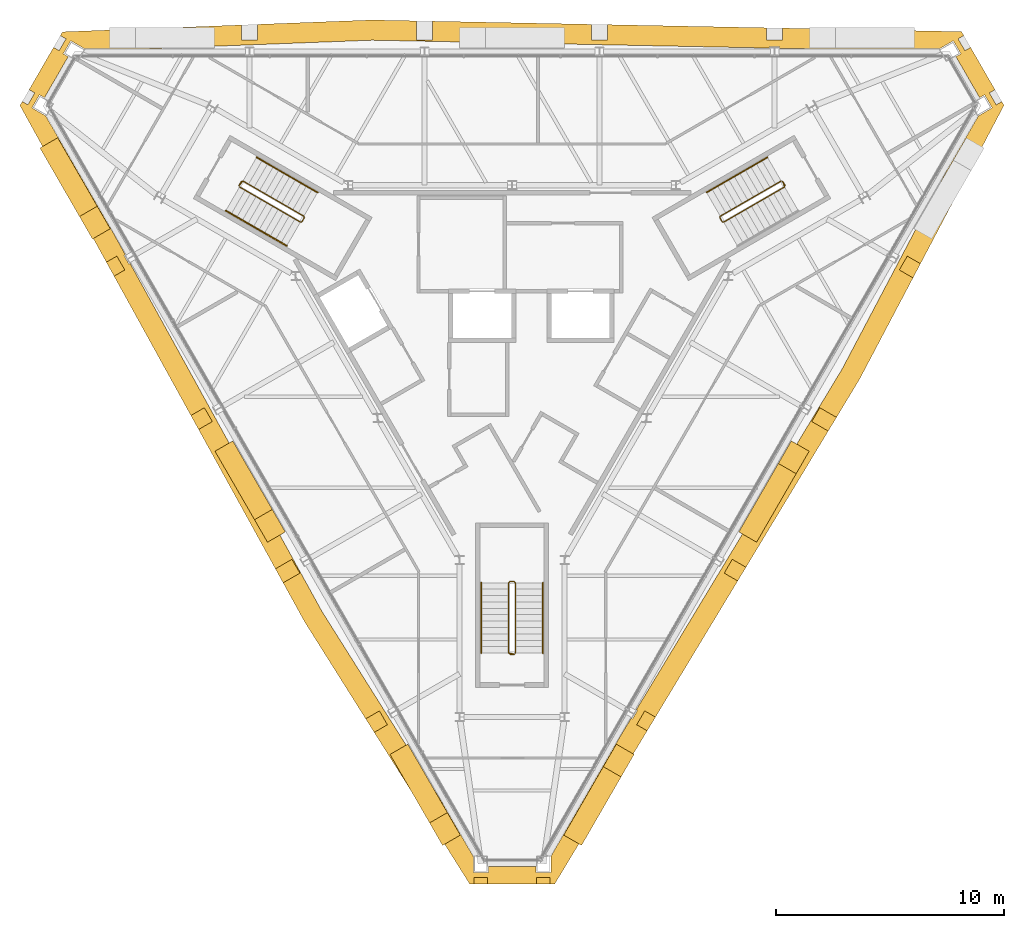
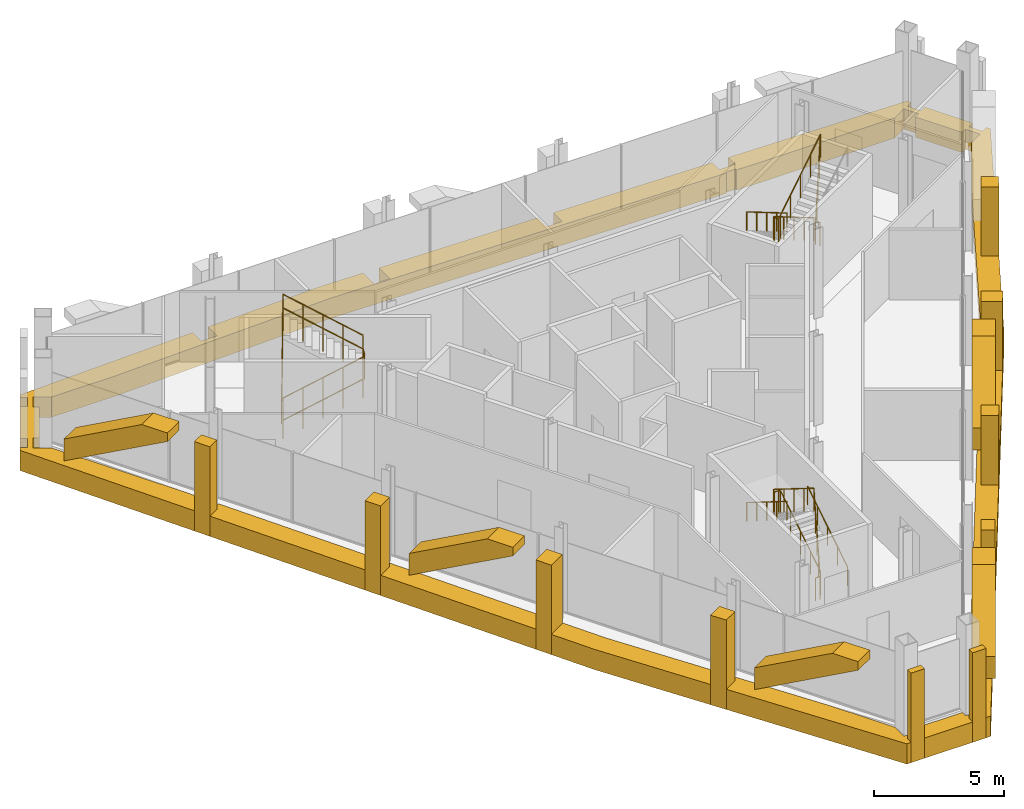
# One storey, part 12 of 13: 16 coverings, 8 railings.
"""IFC4 building model written with IfcOpenShell, lengths in metres."""

from ifc_helpers import new_model, si_unit, direction, frame, origin, origin_2d, place, context, subcontext, project, spatial, polyline, circle, outline, extrude, material, layer, layer_set, type_object, element, save


model = new_model("IFC4")

# Units and contexts
model_context = context("Model", 3, precision=1e-05, world=origin(), true_north=direction((0.0, 1.0)))
body_context = subcontext(model_context, "Body", "Model", "MODEL_VIEW")
ifc_project = project(units=[si_unit("LENGTHUNIT", "METRE"), si_unit("AREAUNIT", "SQUARE_METRE"), si_unit("VOLUMEUNIT", "CUBIC_METRE"), si_unit("PLANEANGLEUNIT", "RADIAN"), si_unit("MASSUNIT", "GRAM", prefix="KILO")], contexts=[model_context])

# Site, building, storey
site_placement = place(None, origin())
site = spatial("IfcSite", under=ifc_project, at=site_placement, CompositionType="ELEMENT")
building_placement = place(site_placement, origin())
building = spatial("IfcBuilding", under=site, at=building_placement, Name="Verrane Prism Tower", CompositionType="ELEMENT")
storey_placement = place(building_placement, frame((0.0, 0.0, 312.60009765625)))
storey = spatial("IfcBuildingStorey", under=building, at=storey_placement, Name="L79", CompositionType="ELEMENT", Elevation=312.60009765625)

# Railings
ifc_material_1 = material(Name="Steel A36 rail and posts, no infill", Category="steel")
railing_type_1 = type_object("IfcRailingType", Name="Stair guard 1100 steel rail and posts", PredefinedType="GUARDRAIL", material=ifc_material_1)
railing_1_placement = place(storey_placement, frame((11.78955078125, 6.97998046875, 0.1748046875)))
element("IfcRailing", 1, at=railing_1_placement, inside=storey, type_object=railing_type_1, Name="Stair 1 guard", PredefinedType="GUARDRAIL", context=body_context, shape_type="SweptSolid", body=[
    extrude(circle(Radius=0.02392578125, at=origin_2d()), frame((0.0, 0.0, 1.076171875), z_axis=(-0.734364028329, -0.424015404183, 0.530019255228), x_axis=(0.500026652407, -0.866010015463, 0.0)), (0.0, 0.0, 1.0), 3.632080078125),
    extrude(circle(Radius=0.02392578125, at=origin_2d()), frame((-2.667236328125, -1.5400390625, 3.0009765625), z_axis=(-0.258736085224, -0.965948051503, 0.0), x_axis=(0.965948051503, -0.258736085224, 0.0)), (0.0, 0.0, 1.0), 0.07080078125),
    extrude(circle(Radius=0.02392578125, at=origin_2d()), frame((-2.685546875, -1.6083984375, 3.0009765625), z_axis=(0.499687197852, -0.866205924883, 0.0), x_axis=(0.866205924883, 0.499687197852, 0.0)), (0.0, 0.0, 1.0), 0.199951171875),
    extrude(circle(Radius=0.02392578125, at=origin_2d()), frame((-2.585693359375, -1.781494140625, 3.0009765625), z_axis=(0.362047912139, -0.096977119323, 0.927101260728), x_axis=(0.258736085224, 0.965948051503, 0.0)), (0.0, 0.0, 1.0), 0.188720703125),
    extrude(circle(Radius=0.02392578125, at=origin_2d()), frame((-2.517333984375, -1.7998046875, 3.17626953125), z_axis=(0.734364028329, 0.424015404183, 0.530019255228), x_axis=(-0.500026652407, 0.866010015463, 0.0)), (0.0, 0.0, 1.0), 3.632080078125),
    extrude(circle(Radius=0.02392578125, at=origin_2d()), frame((0.14990234375, -0.259765625, 5.10107421875), z_axis=(-0.019379572802, 0.057384423658, -0.998164044674), x_axis=(-0.947430582667, -0.3199613899, 0.0)), (0.0, 0.0, 1.0), 4.207763671875),
    extrude(circle(Radius=0.02392578125, at=origin_2d()), frame((0.068359375, -0.018310546875, 0.9013671875), z_axis=(0.499158860599, -0.866510491504, 0.0), x_axis=(0.866510491504, 0.499158860599, 0.0)), (0.0, 0.0, 1.0), 0.199951171875),
    extrude(circle(Radius=0.02099609375, at=origin_2d()), origin(), (0.0, 0.0, 1.0), 1.052001953125),
    extrude(circle(Radius=0.02099609375, at=origin_2d()), frame((-0.666748046875, -0.385009765625, 0.481201171875)), (0.0, 0.0, 1.0), 1.052001953125),
    extrude(circle(Radius=0.02099609375, at=origin_2d()), frame((-1.33349609375, -0.77001953125, 0.96240234375)), (0.0, 0.0, 1.0), 1.052001953125),
    extrude(circle(Radius=0.02099609375, at=origin_2d()), frame((-2.00048828125, -1.155029296875, 1.44384765625)), (0.0, 0.0, 1.0), 1.052001953125),
    extrude(circle(Radius=0.02099609375, at=origin_2d()), frame((-2.667236328125, -1.5400390625, 1.925048828125)), (0.0, 0.0, 1.0), 1.052001953125),
    extrude(circle(Radius=0.02099609375, at=origin_2d()), frame((-2.685546875, -1.6083984375, 1.925048828125)), (0.0, 0.0, 1.0), 1.052001953125),
    extrude(circle(Radius=0.02099609375, at=origin_2d()), frame((-2.585693359375, -1.781494140625, 1.925048828125)), (0.0, 0.0, 1.0), 1.052001953125),
    extrude(circle(Radius=0.02099609375, at=origin_2d()), frame((-2.517333984375, -1.7998046875, 2.10009765625)), (0.0, 0.0, 1.0), 1.052001953125),
    extrude(circle(Radius=0.02099609375, at=origin_2d()), frame((-1.8505859375, -1.414794921875, 2.581298828125)), (0.0, 0.0, 1.0), 1.052001953125),
    extrude(circle(Radius=0.02099609375, at=origin_2d()), frame((-1.18359375, -1.02978515625, 3.0625)), (0.0, 0.0, 1.0), 1.052001953125),
    extrude(circle(Radius=0.02099609375, at=origin_2d()), frame((-0.516845703125, -0.644775390625, 3.5439453125)), (0.0, 0.0, 1.0), 1.052001953125),
    extrude(circle(Radius=0.02099609375, at=origin_2d()), frame((0.14990234375, -0.259765625, 4.025146484375)), (0.0, 0.0, 1.0), 1.052001953125),
    extrude(circle(Radius=0.02099609375, at=origin_2d()), frame((0.12939453125, -0.199462890625, 2.97509765625)), (0.0, 0.0, 1.0), 1.052001953125),
    extrude(circle(Radius=0.02099609375, at=origin_2d()), frame((0.109130859375, -0.13916015625, 1.92529296875)), (0.0, 0.0, 1.0), 1.052001953125),
    extrude(circle(Radius=0.02099609375, at=origin_2d()), frame((0.0888671875, -0.07861328125, 0.875244140625)), (0.0, 0.0, 1.0), 1.052001953125),
    extrude(circle(Radius=0.02099609375, at=origin_2d()), frame((0.068359375, -0.018310546875, -0.1748046875)), (0.0, 0.0, 1.0), 1.052001953125),
    extrude(circle(Radius=0.02099609375, at=origin_2d()), frame((0.168212890625, -0.191650390625, -0.1748046875)), (0.0, 0.0, 1.0), 1.052001953125),
])
railing_2_placement = place(storey_placement, frame((-11.939453125, 6.72021484375, 0.1748046875)))
element("IfcRailing", 2, at=railing_2_placement, inside=storey, type_object=railing_type_1, Name="Stair 2 guard", PredefinedType="GUARDRAIL", context=body_context, shape_type="SweptSolid", body=[
    extrude(circle(Radius=0.02392578125, at=origin_2d()), frame((0.0, 0.0, 1.076171875), z_axis=(0.734364028329, -0.424015404183, 0.530019255228), x_axis=(0.500026652407, 0.866010015463, 0.0)), (0.0, 0.0, 1.0), 3.632080078125),
    extrude(circle(Radius=0.02392578125, at=origin_2d()), frame((2.667236328125, -1.5400390625, 3.0009765625), z_axis=(0.965948051503, 0.258736085224, 0.0), x_axis=(-0.258736085224, 0.965948051503, 0.0)), (0.0, 0.0, 1.0), 0.07080078125),
    extrude(circle(Radius=0.02392578125, at=origin_2d()), frame((2.735595703125, -1.521728515625, 3.0009765625), z_axis=(0.499687197852, 0.866205924883, 0.0), x_axis=(-0.866205924883, 0.499687197852, 0.0)), (0.0, 0.0, 1.0), 0.199951171875),
    extrude(circle(Radius=0.02392578125, at=origin_2d()), frame((2.83544921875, -1.3486328125, 3.0009765625), z_axis=(-0.096977119323, 0.362047912139, 0.927101260728), x_axis=(-0.965948051503, -0.258736085224, 0.0)), (0.0, 0.0, 1.0), 0.188720703125),
    extrude(circle(Radius=0.02392578125, at=origin_2d()), frame((2.817138671875, -1.2802734375, 3.17626953125), z_axis=(-0.734364028329, 0.424015404183, 0.530019255228), x_axis=(-0.500026652407, -0.866010015463, 0.0)), (0.0, 0.0, 1.0), 3.632080078125),
    extrude(circle(Radius=0.02392578125, at=origin_2d()), frame((0.14990234375, 0.259765625, 5.10107421875), z_axis=(-0.039977536342, -0.045547701058, -0.998161912475), x_axis=(0.751567565678, -0.659656118156, 0.0)), (0.0, 0.0, 1.0), 4.207763671875),
    extrude(circle(Radius=0.02392578125, at=origin_2d()), frame((-0.018310546875, 0.068115234375, 0.9013671875), z_axis=(0.499158860599, 0.866510491504, 0.0), x_axis=(-0.866510491504, 0.499158860599, 0.0)), (0.0, 0.0, 1.0), 0.199951171875),
    extrude(circle(Radius=0.02099609375, at=origin_2d()), origin(), (0.0, 0.0, 1.0), 1.052001953125),
    extrude(circle(Radius=0.02099609375, at=origin_2d()), frame((0.666748046875, -0.385009765625, 0.481201171875)), (0.0, 0.0, 1.0), 1.052001953125),
    extrude(circle(Radius=0.02099609375, at=origin_2d()), frame((1.33349609375, -0.77001953125, 0.96240234375)), (0.0, 0.0, 1.0), 1.052001953125),
    extrude(circle(Radius=0.02099609375, at=origin_2d()), frame((2.00048828125, -1.155029296875, 1.44384765625)), (0.0, 0.0, 1.0), 1.052001953125),
    extrude(circle(Radius=0.02099609375, at=origin_2d()), frame((2.667236328125, -1.5400390625, 1.925048828125)), (0.0, 0.0, 1.0), 1.052001953125),
    extrude(circle(Radius=0.02099609375, at=origin_2d()), frame((2.735595703125, -1.521728515625, 1.925048828125)), (0.0, 0.0, 1.0), 1.052001953125),
    extrude(circle(Radius=0.02099609375, at=origin_2d()), frame((2.83544921875, -1.3486328125, 1.925048828125)), (0.0, 0.0, 1.0), 1.052001953125),
    extrude(circle(Radius=0.02099609375, at=origin_2d()), frame((2.817138671875, -1.2802734375, 2.10009765625)), (0.0, 0.0, 1.0), 1.052001953125),
    extrude(circle(Radius=0.02099609375, at=origin_2d()), frame((2.150390625, -0.895263671875, 2.581298828125)), (0.0, 0.0, 1.0), 1.052001953125),
    extrude(circle(Radius=0.02099609375, at=origin_2d()), frame((1.4833984375, -0.51025390625, 3.0625)), (0.0, 0.0, 1.0), 1.052001953125),
    extrude(circle(Radius=0.02099609375, at=origin_2d()), frame((0.816650390625, -0.125244140625, 3.5439453125)), (0.0, 0.0, 1.0), 1.052001953125),
    extrude(circle(Radius=0.02099609375, at=origin_2d()), frame((0.14990234375, 0.259765625, 4.025146484375)), (0.0, 0.0, 1.0), 1.052001953125),
    extrude(circle(Radius=0.02099609375, at=origin_2d()), frame((0.10791015625, 0.2119140625, 2.97509765625)), (0.0, 0.0, 1.0), 1.052001953125),
    extrude(circle(Radius=0.02099609375, at=origin_2d()), frame((0.06591796875, 0.1640625, 1.92529296875)), (0.0, 0.0, 1.0), 1.052001953125),
    extrude(circle(Radius=0.02099609375, at=origin_2d()), frame((0.023681640625, 0.115966796875, 0.875244140625)), (0.0, 0.0, 1.0), 1.052001953125),
    extrude(circle(Radius=0.02099609375, at=origin_2d()), frame((-0.018310546875, 0.068115234375, -0.1748046875)), (0.0, 0.0, 1.0), 1.052001953125),
    extrude(circle(Radius=0.02099609375, at=origin_2d()), frame((0.08154296875, 0.241455078125, -0.1748046875)), (0.0, 0.0, 1.0), 1.052001953125),
])
railing_3_placement = place(storey_placement, frame((0.14990234375, -13.699951171875, 0.1748046875)))
element("IfcRailing", 3, at=railing_3_placement, inside=storey, type_object=railing_type_1, Name="Stair 3 guard", PredefinedType="GUARDRAIL", context=body_context, shape_type="SweptSolid", body=[
    extrude(circle(Radius=0.02392578125, at=origin_2d()), frame((0.0, 0.0, 1.076171875), z_axis=(0.0, 0.847979421464, 0.530029150871), x_axis=(-1.0, 0.0, 0.0)), (0.0, 0.0, 1.0), 3.632080078125),
    extrude(circle(Radius=0.02392578125, at=origin_2d()), frame((0.0, 3.079833984375, 3.0009765625), z_axis=(-0.705375805398, 0.708833529934, 0.0), x_axis=(-0.708833529934, -0.705375805398, 0.0)), (0.0, 0.0, 1.0), 0.070556640625),
    extrude(circle(Radius=0.02392578125, at=origin_2d()), frame((-0.0498046875, 3.1298828125, 3.0009765625), z_axis=(-1.0, 0.0, 0.0), x_axis=(0.0, -1.0, 0.0)), (0.0, 0.0, 1.0), 0.2001953125),
    extrude(circle(Radius=0.02392578125, at=origin_2d()), frame((-0.25, 3.1298828125, 3.0009765625), z_axis=(-0.263862480399, -0.265155923931, 0.927399011991), x_axis=(0.708833529934, -0.705375805398, 0.0)), (0.0, 0.0, 1.0), 0.188720703125),
    extrude(circle(Radius=0.02392578125, at=origin_2d()), frame((-0.2998046875, 3.079833984375, 3.17626953125), z_axis=(0.0, -0.847979421464, 0.530029150871), x_axis=(1.0, 0.0, 0.0)), (0.0, 0.0, 1.0), 3.632080078125),
    extrude(circle(Radius=0.02392578125, at=origin_2d()), frame((-0.2998046875, 0.0, 5.10107421875), z_axis=(0.059415124802, -0.011894629477, -0.99816249215), x_axis=(0.196300278283, 0.98054382908, 0.0)), (0.0, 0.0, 1.0), 4.207763671875),
    extrude(circle(Radius=0.02392578125, at=origin_2d()), frame((-0.0498046875, -0.050048828125, 0.9013671875), z_axis=(-1.0, 0.0, 0.0), x_axis=(0.0, -1.0, 0.0)), (0.0, 0.0, 1.0), 0.2001953125),
    extrude(circle(Radius=0.02099609375, at=origin_2d()), origin(), (0.0, 0.0, 1.0), 1.052001953125),
    extrude(circle(Radius=0.02099609375, at=origin_2d()), frame((0.0, 0.77001953125, 0.481201171875)), (0.0, 0.0, 1.0), 1.052001953125),
    extrude(circle(Radius=0.02099609375, at=origin_2d()), frame((0.0, 1.5400390625, 0.96240234375)), (0.0, 0.0, 1.0), 1.052001953125),
    extrude(circle(Radius=0.02099609375, at=origin_2d()), frame((0.0, 2.309814453125, 1.44384765625)), (0.0, 0.0, 1.0), 1.052001953125),
    extrude(circle(Radius=0.02099609375, at=origin_2d()), frame((0.0, 3.079833984375, 1.925048828125)), (0.0, 0.0, 1.0), 1.052001953125),
    extrude(circle(Radius=0.02099609375, at=origin_2d()), frame((-0.0498046875, 3.1298828125, 1.925048828125)), (0.0, 0.0, 1.0), 1.052001953125),
    extrude(circle(Radius=0.02099609375, at=origin_2d()), frame((-0.25, 3.1298828125, 1.925048828125)), (0.0, 0.0, 1.0), 1.052001953125),
    extrude(circle(Radius=0.02099609375, at=origin_2d()), frame((-0.2998046875, 3.079833984375, 2.10009765625)), (0.0, 0.0, 1.0), 1.052001953125),
    extrude(circle(Radius=0.02099609375, at=origin_2d()), frame((-0.2998046875, 2.309814453125, 2.581298828125)), (0.0, 0.0, 1.0), 1.052001953125),
    extrude(circle(Radius=0.02099609375, at=origin_2d()), frame((-0.2998046875, 1.5400390625, 3.0625)), (0.0, 0.0, 1.0), 1.052001953125),
    extrude(circle(Radius=0.02099609375, at=origin_2d()), frame((-0.2998046875, 0.77001953125, 3.5439453125)), (0.0, 0.0, 1.0), 1.052001953125),
    extrude(circle(Radius=0.02099609375, at=origin_2d()), frame((-0.2998046875, 0.0, 4.025146484375)), (0.0, 0.0, 1.0), 1.052001953125),
    extrude(circle(Radius=0.02099609375, at=origin_2d()), frame((-0.2373046875, -0.012451171875, 2.97509765625)), (0.0, 0.0, 1.0), 1.052001953125),
    extrude(circle(Radius=0.02099609375, at=origin_2d()), frame((-0.1748046875, -0.02490234375, 1.92529296875)), (0.0, 0.0, 1.0), 1.052001953125),
    extrude(circle(Radius=0.02099609375, at=origin_2d()), frame((-0.1123046875, -0.03759765625, 0.875244140625)), (0.0, 0.0, 1.0), 1.052001953125),
    extrude(circle(Radius=0.02099609375, at=origin_2d()), frame((-0.0498046875, -0.050048828125, -0.1748046875)), (0.0, 0.0, 1.0), 1.052001953125),
    extrude(circle(Radius=0.02099609375, at=origin_2d()), frame((-0.25, -0.050048828125, -0.1748046875)), (0.0, 0.0, 1.0), 1.052001953125),
])
ifc_material_2 = material(Name="Steel A36 tube", Category="steel")
railing_type_2 = type_object("IfcRailingType", Name="Stair handrail 900 steel tube", PredefinedType="HANDRAIL", material=ifc_material_2)
railing_4_placement = place(storey_placement, frame((11.189453125, 8.01904296875, 0.1748046875)))
element("IfcRailing", 4, at=railing_4_placement, inside=storey, type_object=railing_type_2, Name="Stair 1 handrail", PredefinedType="HANDRAIL", context=body_context, shape_type="SweptSolid", body=[
    extrude(circle(Radius=0.02392578125, at=origin_2d()), frame((0.0, 0.0, 0.8759765625), z_axis=(-0.734384958227, -0.423960268333, 0.530034361155), x_axis=(0.499967199496, -0.866044340336, 0.0)), (0.0, 0.0, 1.0), 3.6318359375),
    extrude(circle(Radius=0.02099609375, at=origin_2d()), origin(), (0.0, 0.0, 1.0), 0.851806640625),
    extrude(circle(Radius=0.02099609375, at=origin_2d()), frame((-0.666748046875, -0.385009765625, 0.481201171875)), (0.0, 0.0, 1.0), 0.851806640625),
    extrude(circle(Radius=0.02099609375, at=origin_2d()), frame((-1.33349609375, -0.77001953125, 0.96240234375)), (0.0, 0.0, 1.0), 0.851806640625),
    extrude(circle(Radius=0.02099609375, at=origin_2d()), frame((-2.00048828125, -1.15478515625, 1.44384765625)), (0.0, 0.0, 1.0), 0.851806640625),
    extrude(circle(Radius=0.02099609375, at=origin_2d()), frame((-2.667236328125, -1.539794921875, 1.925048828125)), (0.0, 0.0, 1.0), 0.851806640625),
])
railing_5_placement = place(storey_placement, frame((-12.53955078125, 5.680908203125, 0.1748046875)))
element("IfcRailing", 5, at=railing_5_placement, inside=storey, type_object=railing_type_2, Name="Stair 2 handrail", PredefinedType="HANDRAIL", context=body_context, shape_type="SweptSolid", body=[
    extrude(circle(Radius=0.02392578125, at=origin_2d()), frame((0.0, 0.0, 0.8759765625), z_axis=(0.734364028329, -0.424015404183, 0.530019255228), x_axis=(0.500026652407, 0.866010015463, 0.0)), (0.0, 0.0, 1.0), 3.632080078125),
    extrude(circle(Radius=0.02099609375, at=origin_2d()), origin(), (0.0, 0.0, 1.0), 0.851806640625),
    extrude(circle(Radius=0.02099609375, at=origin_2d()), frame((0.666748046875, -0.385009765625, 0.481201171875)), (0.0, 0.0, 1.0), 0.851806640625),
    extrude(circle(Radius=0.02099609375, at=origin_2d()), frame((1.33349609375, -0.77001953125, 0.96240234375)), (0.0, 0.0, 1.0), 0.851806640625),
    extrude(circle(Radius=0.02099609375, at=origin_2d()), frame((2.00048828125, -1.155029296875, 1.44384765625)), (0.0, 0.0, 1.0), 0.851806640625),
    extrude(circle(Radius=0.02099609375, at=origin_2d()), frame((2.667236328125, -1.5400390625, 1.925048828125)), (0.0, 0.0, 1.0), 0.851806640625),
])
railing_6_placement = place(storey_placement, frame((-8.522216796875, 6.479248046875, 2.27490234375)))
element("IfcRailing", 6, at=railing_6_placement, inside=storey, type_object=railing_type_2, Name="Stair 2 handrail", PredefinedType="HANDRAIL", context=body_context, shape_type="SweptSolid", body=[
    extrude(circle(Radius=0.02392578125, at=origin_2d()), frame((0.0, 0.0, 0.8759765625), z_axis=(-0.734384958227, 0.423960268333, 0.530034361155), x_axis=(-0.499967199496, -0.866044340336, 0.0)), (0.0, 0.0, 1.0), 3.6318359375),
    extrude(circle(Radius=0.02099609375, at=origin_2d()), origin(), (0.0, 0.0, 1.0), 0.851806640625),
    extrude(circle(Radius=0.02099609375, at=origin_2d()), frame((-0.666748046875, 0.385009765625, 0.481201171875)), (0.0, 0.0, 1.0), 0.851806640625),
    extrude(circle(Radius=0.02099609375, at=origin_2d()), frame((-1.33349609375, 0.77001953125, 0.96240234375)), (0.0, 0.0, 1.0), 0.851806640625),
    extrude(circle(Radius=0.02099609375, at=origin_2d()), frame((-2.00048828125, 1.15478515625, 1.44384765625)), (0.0, 0.0, 1.0), 0.851806640625),
    extrude(circle(Radius=0.02099609375, at=origin_2d()), frame((-2.667236328125, 1.539794921875, 1.925048828125)), (0.0, 0.0, 1.0), 0.851806640625),
])
railing_7_placement = place(storey_placement, frame((1.35009765625, -13.699951171875, 0.1748046875)))
element("IfcRailing", 7, at=railing_7_placement, inside=storey, type_object=railing_type_2, Name="Stair 3 handrail", PredefinedType="HANDRAIL", context=body_context, shape_type="SweptSolid", body=[
    extrude(circle(Radius=0.02392578125, at=origin_2d()), frame((0.0, 0.0, 0.8759765625), z_axis=(0.0, 0.847979421464, 0.530029150871), x_axis=(-1.0, 0.0, 0.0)), (0.0, 0.0, 1.0), 3.632080078125),
    extrude(circle(Radius=0.02099609375, at=origin_2d()), origin(), (0.0, 0.0, 1.0), 0.851806640625),
    extrude(circle(Radius=0.02099609375, at=origin_2d()), frame((0.0, 0.77001953125, 0.481201171875)), (0.0, 0.0, 1.0), 0.851806640625),
    extrude(circle(Radius=0.02099609375, at=origin_2d()), frame((0.0, 1.5400390625, 0.96240234375)), (0.0, 0.0, 1.0), 0.851806640625),
    extrude(circle(Radius=0.02099609375, at=origin_2d()), frame((0.0, 2.309814453125, 1.44384765625)), (0.0, 0.0, 1.0), 0.851806640625),
    extrude(circle(Radius=0.02099609375, at=origin_2d()), frame((0.0, 3.079833984375, 1.925048828125)), (0.0, 0.0, 1.0), 0.851806640625),
])
railing_8_placement = place(storey_placement, frame((-1.35009765625, -10.6201171875, 2.27490234375)))
element("IfcRailing", 8, at=railing_8_placement, inside=storey, type_object=railing_type_2, Name="Stair 3 handrail", PredefinedType="HANDRAIL", context=body_context, shape_type="SweptSolid", body=[
    extrude(circle(Radius=0.02392578125, at=origin_2d()), frame((0.0, 0.0, 0.8759765625), z_axis=(0.0, -0.847979421464, 0.530029150871), x_axis=(1.0, 0.0, 0.0)), (0.0, 0.0, 1.0), 3.632080078125),
    extrude(circle(Radius=0.02099609375, at=origin_2d()), origin(), (0.0, 0.0, 1.0), 0.851806640625),
    extrude(circle(Radius=0.02099609375, at=origin_2d()), frame((0.0, -0.77001953125, 0.481201171875)), (0.0, 0.0, 1.0), 0.851806640625),
    extrude(circle(Radius=0.02099609375, at=origin_2d()), frame((0.0, -1.5400390625, 0.96240234375)), (0.0, 0.0, 1.0), 0.851806640625),
    extrude(circle(Radius=0.02099609375, at=origin_2d()), frame((0.0, -2.309814453125, 1.44384765625)), (0.0, 0.0, 1.0), 0.851806640625),
    extrude(circle(Radius=0.02099609375, at=origin_2d()), frame((0.0, -3.079833984375, 1.925048828125)), (0.0, 0.0, 1.0), 0.851806640625),
])

# Coverings
ifc_material_3 = material(Name="Warm limestone cladding", Category="masonry")
ifc_layer_1 = layer(ifc_material_3, 0.89990234375)
ifc_layer_set_1 = layer_set([ifc_layer_1], Name="Stone brace fin 900")
covering_type_1 = type_object("IfcCoveringType", Name="Stone brace fin 900", PredefinedType="CLADDING", material=ifc_layer_set_1)
for number, where, z_axis, x_axis, name in (
    (9, (-20.294189453125, 8.650390625, 0.326904296875), (0.0, 0.0, 1.0), (0.5000194552, -0.866014171028, 0.0), "Stone brace fin SW1 L79"),
    (10, (-12.625, -4.632568359375, 0.326904296875), (0.0, 0.0, 1.0), (0.49997966108, -0.866037146147, 0.0), "Stone brace fin SW3 L79"),
    (11, (-4.956298828125, -17.91552734375, 0.326904296875), (0.0, 0.0, 1.0), (0.5000194552, -0.866014171028, 0.0), "Stone brace fin SW5 L79"),
    (12, (2.655517578125, -21.900390625, 0.326904296875), (0.0, 0.0, 1.0), (0.5000194552, 0.866014171028, 0.0), "Stone brace fin SE1 L79"),
    (13, (10.324462890625, -8.617431640625, 0.326904296875), (0.0, 0.0, 1.0), (0.49997966108, 0.866037146147, 0.0), "Stone brace fin SE3 L79"),
):
    element("IfcCovering", number, at=place(storey_placement, frame(where, z_axis=z_axis, x_axis=x_axis)), inside=storey, type_object=covering_type_1, Name=name, PredefinedType="CLADDING", context=body_context, shape_type="SweptSolid", body=[
        extrude(outline(polyline([(4.601318359375, 2.923095703125), (3.463623046875, 2.923095703125), (0.0, 1.026123046875), (0.0, 0.0), (4.601318359375, 2.52001953125), (4.601318359375, 2.923095703125)])), frame((0.0, 0.449951171875, 0.0), z_axis=(0.0, -1.0, 0.0), x_axis=(1.0, 0.0, 0.0)), (0.0, 0.0, 1.0), 0.89990234375),
    ])
ifc_material_4 = material(Name="Warm limestone cladding", Category="masonry")
covering_type_2 = type_object("IfcCoveringType", Name="Stone corner pier 600", PredefinedType="CLADDING", material=ifc_material_4)
covering_1_placement = place(storey_placement, frame((0.0, 0.0, -0.9501953125)))
element("IfcCovering", 14, at=covering_1_placement, inside=storey, type_object=covering_type_2, Name="Stone pier MC-S.a L79", PredefinedType="CLADDING", context=body_context, shape_type="SweptSolid", body=[
    extrude(outline(polyline([(-1.069091796875, -23.52880859375), (-1.6689453125, -23.52880859375), (-1.6689453125, -23.813720703125), (-1.069091796875, -23.813720703125), (-1.069091796875, -23.52880859375)])), origin(), (0.0, 0.0, 1.0), 4.2001953125),
])
covering_2_placement = place(storey_placement, frame((0.0, 0.0, -0.9501953125)))
element("IfcCovering", 15, at=covering_2_placement, inside=storey, type_object=covering_type_2, Name="Stone pier MC-S.b L79", PredefinedType="CLADDING", context=body_context, shape_type="SweptSolid", body=[
    extrude(outline(polyline([(1.6689453125, -23.52880859375), (1.069091796875, -23.52880859375), (1.069091796875, -23.813720703125), (1.6689453125, -23.813720703125), (1.6689453125, -23.52880859375)])), origin(), (0.0, 0.0, 1.0), 4.2001953125),
])
ifc_material_5 = material(Name="Warm limestone cladding", Category="masonry")
covering_type_3 = type_object("IfcCoveringType", Name="Stone pier 700", PredefinedType="CLADDING", material=ifc_material_5)
covering_3_placement = place(storey_placement, frame((0.0, 0.0, -0.9501953125)))
element("IfcCovering", 16, at=covering_3_placement, inside=storey, type_object=covering_type_3, Name="Stone pier PC-SW1 L79", PredefinedType="CLADDING", context=body_context, shape_type="SweptSolid", body=[
    extrude(outline(polyline([(-16.96484375, 3.084228515625), (-17.094482421875, 3.30859375), (-17.31494140625, 3.6904296875), (-17.773681640625, 3.425537109375), (-17.435546875, 2.8125), (-16.96484375, 3.084228515625)])), origin(), (0.0, 0.0, 1.0), 4.2001953125),
])
covering_4_placement = place(storey_placement, frame((0.0, 0.0, -0.9501953125)))
element("IfcCovering", 17, at=covering_4_placement, inside=storey, type_object=covering_type_3, Name="Stone pier PC-SW2 L79", PredefinedType="CLADDING", context=body_context, shape_type="SweptSolid", body=[
    extrude(outline(polyline([(-13.13037109375, -3.557373046875), (-13.279296875, -3.299560546875), (-13.48046875, -2.951171875), (-14.0703125, -3.291748046875), (-13.732421875, -3.90478515625), (-13.13037109375, -3.557373046875)])), origin(), (0.0, 0.0, 1.0), 4.2001953125),
])
covering_5_placement = place(storey_placement, frame((0.0, 0.0, -0.9501953125)))
element("IfcCovering", 18, at=covering_5_placement, inside=storey, type_object=covering_type_3, Name="Stone pier PC-SW3 L79", PredefinedType="CLADDING", context=body_context, shape_type="SweptSolid", body=[
    extrude(outline(polyline([(-9.2958984375, -10.198974609375), (-9.470947265625, -9.895751953125), (-9.64599609375, -9.5927734375), (-10.366943359375, -10.009033203125), (-10.029052734375, -10.6220703125), (-9.2958984375, -10.198974609375)])), origin(), (0.0, 0.0, 1.0), 4.2001953125),
])
covering_6_placement = place(storey_placement, frame((0.0, 0.0, -0.9501953125)))
element("IfcCovering", 19, at=covering_6_placement, inside=storey, type_object=covering_type_3, Name="Stone pier PC-SW4 L79", PredefinedType="CLADDING", context=body_context, shape_type="SweptSolid", body=[
    extrude(outline(polyline([(-5.46142578125, -16.84033203125), (-5.8115234375, -16.234130859375), (-6.41162109375, -16.580810546875), (-6.038330078125, -17.173583984375), (-5.46142578125, -16.84033203125)])), origin(), (0.0, 0.0, 1.0), 4.2001953125),
])
covering_7_placement = place(storey_placement, frame((0.0, 0.0, -0.9501953125)))
element("IfcCovering", 20, at=covering_7_placement, inside=storey, type_object=covering_type_3, Name="Stone pier PC-SE1 L79", PredefinedType="CLADDING", context=body_context, shape_type="SweptSolid", body=[
    extrude(outline(polyline([(5.8115234375, -16.234130859375), (5.710205078125, -16.409912109375), (5.46142578125, -16.84033203125), (5.920166015625, -17.105224609375), (6.281982421875, -16.505859375), (5.8115234375, -16.234130859375)])), origin(), (0.0, 0.0, 1.0), 4.2001953125),
])
covering_8_placement = place(storey_placement, frame((0.0, 0.0, -0.9501953125)))
element("IfcCovering", 21, at=covering_8_placement, inside=storey, type_object=covering_type_3, Name="Stone pier PC-SE2 L79", PredefinedType="CLADDING", context=body_context, shape_type="SweptSolid", body=[
    extrude(outline(polyline([(9.64599609375, -9.5927734375), (9.2958984375, -10.198974609375), (9.8857421875, -10.539306640625), (10.247802734375, -9.940185546875), (9.64599609375, -9.5927734375)])), origin(), (0.0, 0.0, 1.0), 4.2001953125),
])
covering_9_placement = place(storey_placement, frame((0.0, 0.0, -0.9501953125)))
element("IfcCovering", 22, at=covering_9_placement, inside=storey, type_object=covering_type_3, Name="Stone pier PC-SE3 L79", PredefinedType="CLADDING", context=body_context, shape_type="SweptSolid", body=[
    extrude(outline(polyline([(13.48046875, -2.951171875), (13.13037109375, -3.557373046875), (13.8515625, -3.9736328125), (14.21337890625, -3.374267578125), (13.48046875, -2.951171875)])), origin(), (0.0, 0.0, 1.0), 4.2001953125),
])
covering_10_placement = place(storey_placement, frame((0.0, 0.0, -0.9501953125)))
element("IfcCovering", 23, at=covering_10_placement, inside=storey, type_object=covering_type_3, Name="Stone pier PC-SE4 L79", PredefinedType="CLADDING", context=body_context, shape_type="SweptSolid", body=[
    extrude(outline(polyline([(17.31494140625, 3.6904296875), (16.96484375, 3.084228515625), (17.565185546875, 2.73779296875), (17.891845703125, 3.357421875), (17.31494140625, 3.6904296875)])), origin(), (0.0, 0.0, 1.0), 4.2001953125),
])
ifc_material_6 = material(Name="Warm limestone cladding", Category="masonry")
ifc_layer_2 = layer(ifc_material_6, 0.449951171875)
ifc_layer_set_2 = layer_set([ifc_layer_2], Name="Stone spandrel band 450")
covering_type_4 = type_object("IfcCoveringType", Name="Stone spandrel band 450", PredefinedType="CLADDING", material=ifc_layer_set_2)
covering_11_placement = place(storey_placement, frame((0.0, 0.0, -0.9501953125)))
element("IfcCovering", 24, at=covering_11_placement, inside=storey, type_object=covering_type_4, Name="Stone spandrel band L79", PredefinedType="CLADDING", context=body_context, shape_type="SweptSolid", body=[
    extrude(outline(polyline([(1.868408203125, -23.813720703125), (5.920166015625, -17.105224609375), (5.46142578125, -16.84033203125), (5.8115234375, -16.234130859375), (6.281982421875, -16.505859375), (9.8857421875, -10.539306640625), (9.2958984375, -10.198974609375), (9.64599609375, -9.5927734375), (10.247802734375, -9.940185546875), (13.8515625, -3.9736328125), (13.13037109375, -3.557373046875), (13.48046875, -2.951171875), (14.21337890625, -3.374267578125), (15.2265625, -1.697265625), (17.565185546875, 2.73779296875), (16.96484375, 3.084228515625), (17.31494140625, 3.6904296875), (17.891845703125, 3.357421875), (21.552001953125, 10.298095703125), (21.457763671875, 10.46142578125), (21.2109375, 10.319091796875), (20.910888671875, 10.838623046875), (21.15771484375, 10.98095703125), (20.088623046875, 12.83251953125), (19.842041015625, 12.690185546875), (19.5419921875, 13.209716796875), (19.788818359375, 13.352294921875), (19.68896484375, 13.52490234375), (11.853515625, 13.6796875), (11.853515625, 13.14990234375), (11.1533203125, 13.14990234375), (11.1533203125, 13.693359375), (4.1845703125, 13.8310546875), (4.1845703125, 13.14990234375), (3.484619140625, 13.14990234375), (3.484619140625, 13.844970703125), (-3.484619140625, 13.982666015625), (-3.484619140625, 13.14990234375), (-4.1845703125, 13.14990234375), (-4.1845703125, 13.996337890625), (-6.143310546875, 14.03515625), (-11.1533203125, 13.843017578125), (-11.1533203125, 13.14990234375), (-11.853515625, 13.14990234375), (-11.853515625, 13.816162109375), (-19.6943359375, 13.515380859375), (-19.788818359375, 13.352294921875), (-19.5419921875, 13.209716796875), (-19.842041015625, 12.690185546875), (-20.088623046875, 12.83251953125), (-21.15771484375, 10.98095703125), (-20.910888671875, 10.838623046875), (-21.2109375, 10.319091796875), (-21.457763671875, 10.46142578125), (-21.557373046875, 10.288818359375), (-17.773681640625, 3.425537109375), (-17.31494140625, 3.6904296875), (-16.96484375, 3.084228515625), (-17.435546875, 2.8125), (-14.0703125, -3.291748046875), (-13.48046875, -2.951171875), (-13.13037109375, -3.557373046875), (-13.732421875, -3.90478515625), (-10.366943359375, -10.009033203125), (-9.64599609375, -9.5927734375), (-9.2958984375, -10.198974609375), (-10.029052734375, -10.6220703125), (-9.0830078125, -12.337890625), (-6.41162109375, -16.580810546875), (-5.8115234375, -16.234130859375), (-5.46142578125, -16.84033203125), (-6.038330078125, -17.173583984375), (-1.857421875, -23.813720703125), (-1.6689453125, -23.813720703125), (-1.6689453125, -23.52880859375), (-1.069091796875, -23.52880859375), (-1.069091796875, -23.813720703125), (1.069091796875, -23.813720703125), (1.069091796875, -23.52880859375), (1.6689453125, -23.52880859375), (1.6689453125, -23.813720703125), (1.868408203125, -23.813720703125)]), holes=[polyline([(4.693115234375, -17.425537109375), (1.699951171875, -22.609619140625), (1.699951171875, -23.31005859375), (1.0400390625, -23.31005859375), (1.0400390625, -23.055908203125), (-1.0400390625, -23.055908203125), (-1.0400390625, -23.31005859375), (-1.699951171875, -23.31005859375), (-1.699951171875, -22.609619140625), (-3.134765625, -20.124267578125), (-8.320556640625, -11.88818359375), (-16.7353515625, 3.375), (-16.787109375, 3.34521484375), (-17.00390625, 3.720703125), (-16.944580078125, 3.754638671875), (-17.43701171875, 4.64794921875), (-20.43310546875, 9.837158203125), (-21.0341796875, 10.18408203125), (-20.7041015625, 10.755859375), (-20.485595703125, 10.629638671875), (-19.44677734375, 12.4287109375), (-19.6640625, 12.55419921875), (-19.333984375, 13.125732421875), (-18.72998046875, 12.777099609375), (-15.861083984375, 12.777099609375), (-6.13525390625, 13.14990234375), (11.283203125, 12.805908203125), (11.283203125, 12.8642578125), (11.716796875, 12.8642578125), (11.716796875, 12.79736328125), (12.744384765625, 12.777099609375), (18.72998046875, 12.777099609375), (19.333984375, 13.125732421875), (19.6640625, 12.55419921875), (19.44677734375, 12.4287109375), (20.485595703125, 10.629638671875), (20.7041015625, 10.755859375), (21.0341796875, 10.18408203125), (20.43310546875, 9.837158203125), (18.99560546875, 7.34765625), (14.455810546875, -1.26171875), (5.444580078125, -16.180908203125), (5.493896484375, -16.20947265625), (5.277099609375, -16.584716796875), (5.220458984375, -16.552001953125), (4.693115234375, -17.425537109375)])]), origin(), (0.0, 0.0, 1.0), 0.9501953125),
])

save(model, "model.ifc")
